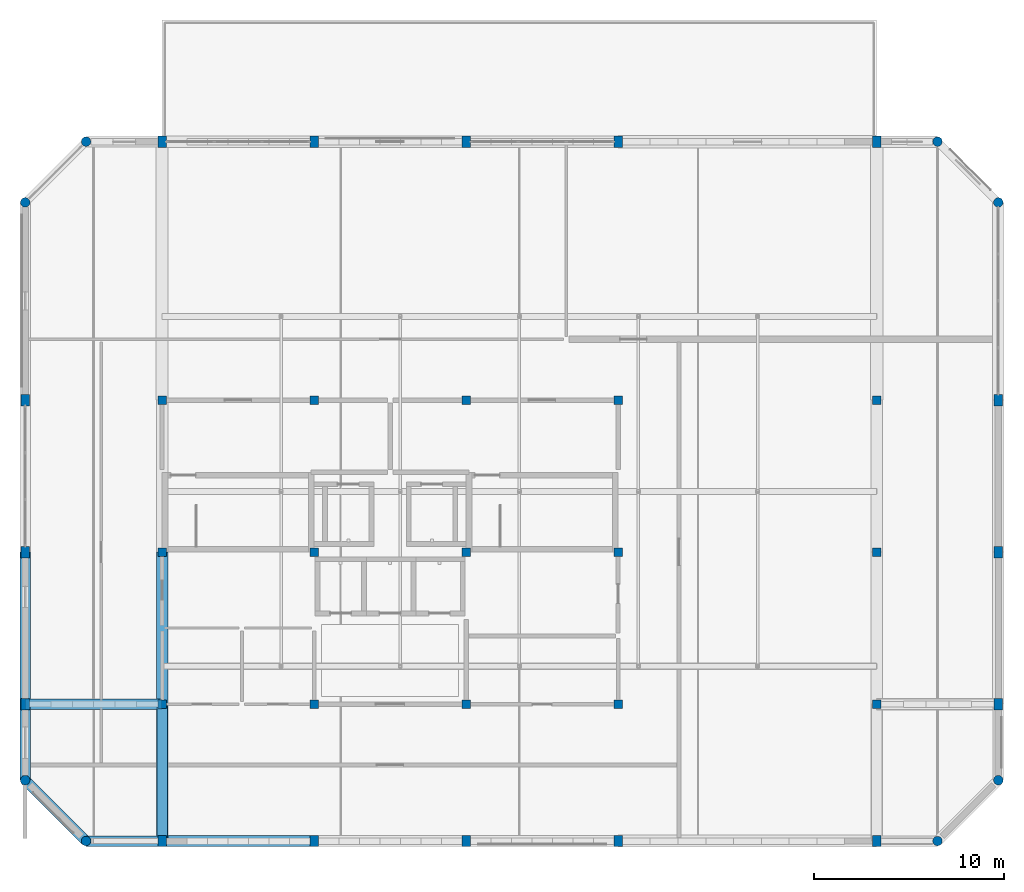
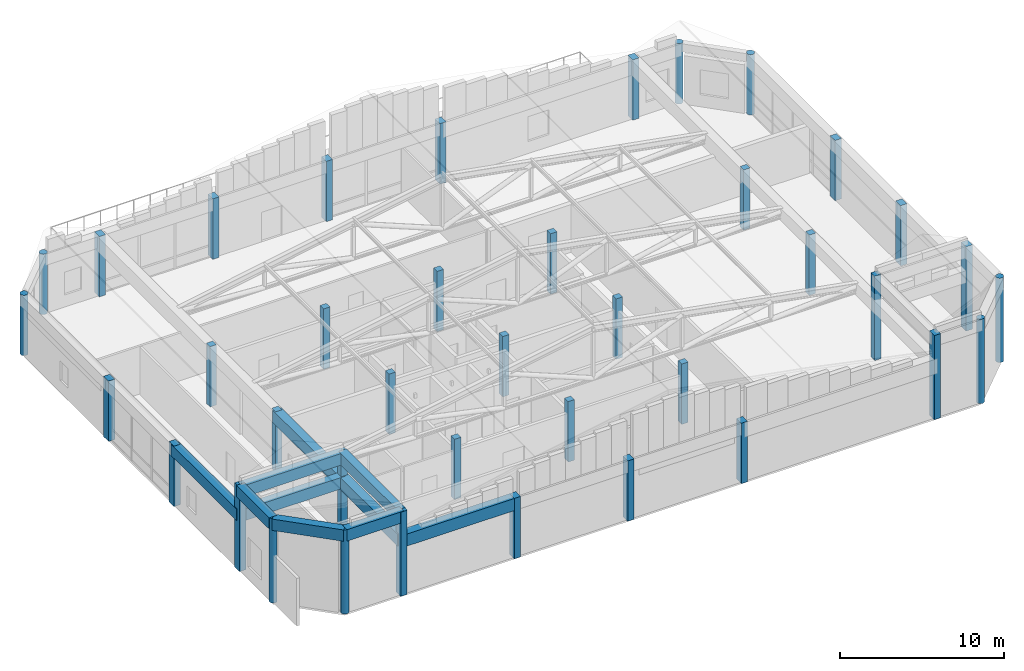
# One storey, part 1 of 24: 39 columns, 10 beams.
"""IFC4 building model written with IfcOpenShell, lengths in metres."""

from ifc_helpers import new_model, si_unit, direction, frame, origin, origin_2d, place, context, subcontext, project, spatial, rectangle, circle, extrude, material, material_profile, profile_set, type_object, element, save


model = new_model("IFC4")

# Units and contexts
model_context = context("Model", 3, precision=1e-05, world=origin(), true_north=direction((0.0, 1.0)))
body_context = subcontext(model_context, "Body", "Model", "MODEL_VIEW")
ifc_project = project(units=[si_unit("LENGTHUNIT", "METRE"), si_unit("AREAUNIT", "SQUARE_METRE"), si_unit("VOLUMEUNIT", "CUBIC_METRE"), si_unit("PLANEANGLEUNIT", "RADIAN"), si_unit("MASSUNIT", "GRAM", prefix="KILO")], contexts=[model_context])

# Site, building, storey
site_placement = place(None, origin())
site = spatial("IfcSite", under=ifc_project, at=site_placement, CompositionType="ELEMENT")
building_placement = place(site_placement, origin())
building = spatial("IfcBuilding", under=site, at=building_placement, Name="Vellmiral Cinema and Media Centre", CompositionType="ELEMENT")
storey_placement = place(building_placement, frame((0.0, 0.0, 66.60009765625)))
storey = spatial("IfcBuildingStorey", under=building, at=storey_placement, Name="L16", CompositionType="ELEMENT", Elevation=66.60009765625)

# Columns
ifc_material_1 = material(Name="Concrete C40/50", Category="concrete")
ifc_material_profile_1 = material_profile(ifc_material_1, rectangle(XDim=0.449951171875, YDim=0.449951171875, at=origin_2d()), Name="RC 450x450")
ifc_profile_set_1 = profile_set([ifc_material_profile_1], Name="Concrete C40/50")
column_type_1 = type_object("IfcColumnType", Name="COL-RC-450x450", PredefinedType="COLUMN", material=ifc_profile_set_1)
column_1_placement = place(storey_placement, frame((124.0, 79.199951171875, 0.0), z_axis=(0.0, 0.0, 1.0), x_axis=(1.0, 0.0, 0.0)))
element("IfcColumn", 1, at=column_1_placement, inside=storey, type_object=column_type_1, Name="Column L16-009", PredefinedType="COLUMN", context=body_context, shape_type="SweptSolid", body=[
    extrude(rectangle(XDim=0.449951171875, YDim=0.449951171875, at=origin_2d()), origin(), (0.0, 0.0, 1.0), 6.27978515625),
])
for number, where, z_axis, x_axis, name in (
    (2, (124.0, 87.199951171875, 0.0), (0.0, 0.0, 1.0), (1.0, 0.0, 0.0), "Column L16-010"),
    (3, (124.0, 95.199951171875, 0.0), (0.0, 0.0, 1.0), (1.0, 0.0, 0.0), "Column L16-011"),
    (4, (132.0, 79.199951171875, 0.0), (0.0, 0.0, 1.0), (1.0, 0.0, 0.0), "Column L16-014"),
    (5, (132.0, 87.199951171875, 0.0), (0.0, 0.0, 1.0), (1.0, 0.0, 0.0), "Column L16-015"),
    (6, (132.0, 95.199951171875, 0.0), (0.0, 0.0, 1.0), (1.0, 0.0, 0.0), "Column L16-016"),
    (7, (140.0, 79.199951171875, 0.0), (0.0, 0.0, 1.0), (1.0, 0.0, 0.0), "Column L16-019"),
    (8, (140.0, 87.199951171875, 0.0), (0.0, 0.0, 1.0), (1.0, 0.0, 0.0), "Column L16-020"),
    (9, (140.0, 95.199951171875, 0.0), (0.0, 0.0, 1.0), (1.0, 0.0, 0.0), "Column L16-021"),
    (10, (148.0, 79.199951171875, 0.0), (0.0, 0.0, 1.0), (1.0, 0.0, 0.0), "Column L16-024"),
    (11, (148.0, 87.199951171875, 0.0), (0.0, 0.0, 1.0), (1.0, 0.0, 0.0), "Column L16-025"),
    (12, (148.0, 95.199951171875, 0.0), (0.0, 0.0, 1.0), (1.0, 0.0, 0.0), "Column L16-026"),
):
    element("IfcColumn", number, at=place(storey_placement, frame(where, z_axis=z_axis, x_axis=x_axis)), inside=storey, type_object=column_type_1, Name=name, PredefinedType="COLUMN", context=body_context, shape_type="SweptSolid", body=[
        extrude(rectangle(XDim=0.449951171875, YDim=0.449951171875, at=origin_2d()), origin(), (0.0, 0.0, 1.0), 4.5),
    ])
column_2_placement = place(storey_placement, frame((161.60009765625, 79.199951171875, 0.0), z_axis=(0.0, 0.0, 1.0), x_axis=(1.0, 0.0, 0.0)))
element("IfcColumn", 13, at=column_2_placement, inside=storey, type_object=column_type_1, Name="Column L16-029", PredefinedType="COLUMN", context=body_context, shape_type="SweptSolid", body=[
    extrude(rectangle(XDim=0.449951171875, YDim=0.449951171875, at=origin_2d()), origin(), (0.0, 0.0, 1.0), 6.27978515625),
])
for number, where, z_axis, x_axis, name in (
    (14, (161.60009765625, 87.199951171875, 0.0), (0.0, 0.0, 1.0), (1.0, 0.0, 0.0), "Column L16-030"),
    (15, (161.60009765625, 95.199951171875, 0.0), (0.0, 0.0, 1.0), (1.0, 0.0, 0.0), "Column L16-031"),
):
    element("IfcColumn", number, at=place(storey_placement, frame(where, z_axis=z_axis, x_axis=x_axis)), inside=storey, type_object=column_type_1, Name=name, PredefinedType="COLUMN", context=body_context, shape_type="SweptSolid", body=[
        extrude(rectangle(XDim=0.449951171875, YDim=0.449951171875, at=origin_2d()), origin(), (0.0, 0.0, 1.0), 4.5),
    ])
ifc_material_2 = material(Name="Concrete C40/50", Category="concrete")
ifc_material_profile_2 = material_profile(ifc_material_2, rectangle(XDim=0.449951171875, YDim=0.60009765625, at=origin_2d()), Name="RC 450x600")
ifc_profile_set_2 = profile_set([ifc_material_profile_2], Name="Concrete C40/50")
column_type_2 = type_object("IfcColumnType", Name="COL-RC-450x600", PredefinedType="COLUMN", material=ifc_profile_set_2)
column_3_placement = place(storey_placement, frame((116.800048828125, 79.199951171875, 0.0), z_axis=(0.0, 0.0, 1.0), x_axis=(1.0, 0.0, 0.0)))
element("IfcColumn", 16, at=column_3_placement, inside=storey, type_object=column_type_2, Name="Column L16-002", PredefinedType="COLUMN", context=body_context, shape_type="SweptSolid", body=[
    extrude(rectangle(XDim=0.449951171875, YDim=0.60009765625, at=origin_2d()), origin(), (0.0, 0.0, 1.0), 6.27978515625),
])
for number, where, z_axis, x_axis, name in (
    (17, (116.800048828125, 87.199951171875, 0.0), (0.0, 0.0, 1.0), (1.0, 0.0, 0.0), "Column L16-003"),
    (18, (116.800048828125, 95.199951171875, 0.0), (0.0, 0.0, 1.0), (1.0, 0.0, 0.0), "Column L16-004"),
):
    element("IfcColumn", number, at=place(storey_placement, frame(where, z_axis=z_axis, x_axis=x_axis)), inside=storey, type_object=column_type_2, Name=name, PredefinedType="COLUMN", context=body_context, shape_type="SweptSolid", body=[
        extrude(rectangle(XDim=0.449951171875, YDim=0.60009765625, at=origin_2d()), origin(), (0.0, 0.0, 1.0), 4.5),
    ])
column_4_placement = place(storey_placement, frame((124.0, 72.0, 0.0), z_axis=(0.0, 0.0, 1.0), x_axis=(1.0, 0.0, 0.0)))
element("IfcColumn", 19, at=column_4_placement, inside=storey, type_object=column_type_2, Name="Column L16-008", PredefinedType="COLUMN", context=body_context, shape_type="SweptSolid", body=[
    extrude(rectangle(XDim=0.449951171875, YDim=0.60009765625, at=origin_2d()), origin(), (0.0, 0.0, 1.0), 6.27978515625),
])
for number, where, z_axis, x_axis, name in (
    (20, (124.0, 108.800048828125, 0.0), (0.0, 0.0, 1.0), (1.0, 0.0, 0.0), "Column L16-012"),
    (21, (132.0, 72.0, 0.0), (0.0, 0.0, 1.0), (1.0, 0.0, 0.0), "Column L16-013"),
    (22, (132.0, 108.800048828125, 0.0), (0.0, 0.0, 1.0), (1.0, 0.0, 0.0), "Column L16-017"),
    (23, (140.0, 72.0, 0.0), (0.0, 0.0, 1.0), (1.0, 0.0, 0.0), "Column L16-018"),
    (24, (140.0, 108.800048828125, 0.0), (0.0, 0.0, 1.0), (1.0, 0.0, 0.0), "Column L16-022"),
    (25, (148.0, 72.0, 0.0), (0.0, 0.0, 1.0), (1.0, 0.0, 0.0), "Column L16-023"),
    (26, (148.0, 108.800048828125, 0.0), (0.0, 0.0, 1.0), (1.0, 0.0, 0.0), "Column L16-027"),
):
    element("IfcColumn", number, at=place(storey_placement, frame(where, z_axis=z_axis, x_axis=x_axis)), inside=storey, type_object=column_type_2, Name=name, PredefinedType="COLUMN", context=body_context, shape_type="SweptSolid", body=[
        extrude(rectangle(XDim=0.449951171875, YDim=0.60009765625, at=origin_2d()), origin(), (0.0, 0.0, 1.0), 4.5),
    ])
column_5_placement = place(storey_placement, frame((161.60009765625, 72.0, 0.0), z_axis=(0.0, 0.0, 1.0), x_axis=(1.0, 0.0, 0.0)))
element("IfcColumn", 27, at=column_5_placement, inside=storey, type_object=column_type_2, Name="Column L16-028", PredefinedType="COLUMN", context=body_context, shape_type="SweptSolid", body=[
    extrude(rectangle(XDim=0.449951171875, YDim=0.60009765625, at=origin_2d()), origin(), (0.0, 0.0, 1.0), 6.27978515625),
])
column_6_placement = place(storey_placement, frame((161.60009765625, 108.800048828125, 0.0), z_axis=(0.0, 0.0, 1.0), x_axis=(1.0, 0.0, 0.0)))
element("IfcColumn", 28, at=column_6_placement, inside=storey, type_object=column_type_2, Name="Column L16-032", PredefinedType="COLUMN", context=body_context, shape_type="SweptSolid", body=[
    extrude(rectangle(XDim=0.449951171875, YDim=0.60009765625, at=origin_2d()), origin(), (0.0, 0.0, 1.0), 4.5),
])
column_7_placement = place(storey_placement, frame((168.0, 79.199951171875, 0.0), z_axis=(0.0, 0.0, 1.0), x_axis=(1.0, 0.0, 0.0)))
element("IfcColumn", 29, at=column_7_placement, inside=storey, type_object=column_type_2, Name="Column L16-036", PredefinedType="COLUMN", context=body_context, shape_type="SweptSolid", body=[
    extrude(rectangle(XDim=0.449951171875, YDim=0.60009765625, at=origin_2d()), origin(), (0.0, 0.0, 1.0), 6.27978515625),
])
for number, where, z_axis, x_axis, name in (
    (30, (168.0, 87.199951171875, 0.0), (0.0, 0.0, 1.0), (1.0, 0.0, 0.0), "Column L16-037"),
    (31, (168.0, 95.199951171875, 0.0), (0.0, 0.0, 1.0), (1.0, 0.0, 0.0), "Column L16-038"),
):
    element("IfcColumn", number, at=place(storey_placement, frame(where, z_axis=z_axis, x_axis=x_axis)), inside=storey, type_object=column_type_2, Name=name, PredefinedType="COLUMN", context=body_context, shape_type="SweptSolid", body=[
        extrude(rectangle(XDim=0.449951171875, YDim=0.60009765625, at=origin_2d()), origin(), (0.0, 0.0, 1.0), 4.5),
    ])
ifc_material_3 = material(Name="Concrete C40/50", Category="concrete")
ifc_material_profile_3 = material_profile(ifc_material_3, circle(Radius=0.25, at=origin_2d()), Name="RC D500")
ifc_profile_set_3 = profile_set([ifc_material_profile_3], Name="Concrete C40/50")
column_type_3 = type_object("IfcColumnType", Name="COL-RCC-D500", PredefinedType="COLUMN", material=ifc_profile_set_3)
column_8_placement = place(storey_placement, frame((116.800048828125, 75.199951171875, 0.0), z_axis=(0.0, 0.0, 1.0), x_axis=(1.0, 0.0, 0.0)))
element("IfcColumn", 32, at=column_8_placement, inside=storey, type_object=column_type_3, Name="Column L16-001", PredefinedType="COLUMN", context=body_context, shape_type="SweptSolid", body=[
    extrude(circle(Radius=0.25, at=origin_2d()), origin(), (0.0, 0.0, 1.0), 6.27978515625),
])
column_9_placement = place(storey_placement, frame((116.800048828125, 105.60009765625, 0.0), z_axis=(0.0, 0.0, 1.0), x_axis=(1.0, 0.0, 0.0)))
element("IfcColumn", 33, at=column_9_placement, inside=storey, type_object=column_type_3, Name="Column L16-005", PredefinedType="COLUMN", context=body_context, shape_type="SweptSolid", body=[
    extrude(circle(Radius=0.25, at=origin_2d()), origin(), (0.0, 0.0, 1.0), 4.5),
])
column_10_placement = place(storey_placement, frame((120.0, 72.0, 0.0), z_axis=(0.0, 0.0, 1.0), x_axis=(1.0, 0.0, 0.0)))
element("IfcColumn", 34, at=column_10_placement, inside=storey, type_object=column_type_3, Name="Column L16-006", PredefinedType="COLUMN", context=body_context, shape_type="SweptSolid", body=[
    extrude(circle(Radius=0.25, at=origin_2d()), origin(), (0.0, 0.0, 1.0), 6.27978515625),
])
column_11_placement = place(storey_placement, frame((120.0, 108.800048828125, 0.0), z_axis=(0.0, 0.0, 1.0), x_axis=(1.0, 0.0, 0.0)))
element("IfcColumn", 35, at=column_11_placement, inside=storey, type_object=column_type_3, Name="Column L16-007", PredefinedType="COLUMN", context=body_context, shape_type="SweptSolid", body=[
    extrude(circle(Radius=0.25, at=origin_2d()), origin(), (0.0, 0.0, 1.0), 4.5),
])
column_12_placement = place(storey_placement, frame((164.800048828125, 72.0, 0.0), z_axis=(0.0, 0.0, 1.0), x_axis=(1.0, 0.0, 0.0)))
element("IfcColumn", 36, at=column_12_placement, inside=storey, type_object=column_type_3, Name="Column L16-033", PredefinedType="COLUMN", context=body_context, shape_type="SweptSolid", body=[
    extrude(circle(Radius=0.25, at=origin_2d()), origin(), (0.0, 0.0, 1.0), 6.27978515625),
])
column_13_placement = place(storey_placement, frame((164.800048828125, 108.800048828125, 0.0), z_axis=(0.0, 0.0, 1.0), x_axis=(1.0, 0.0, 0.0)))
element("IfcColumn", 37, at=column_13_placement, inside=storey, type_object=column_type_3, Name="Column L16-034", PredefinedType="COLUMN", context=body_context, shape_type="SweptSolid", body=[
    extrude(circle(Radius=0.25, at=origin_2d()), origin(), (0.0, 0.0, 1.0), 4.5),
])
column_14_placement = place(storey_placement, frame((168.0, 75.199951171875, 0.0), z_axis=(0.0, 0.0, 1.0), x_axis=(1.0, 0.0, 0.0)))
element("IfcColumn", 38, at=column_14_placement, inside=storey, type_object=column_type_3, Name="Column L16-035", PredefinedType="COLUMN", context=body_context, shape_type="SweptSolid", body=[
    extrude(circle(Radius=0.25, at=origin_2d()), origin(), (0.0, 0.0, 1.0), 6.27978515625),
])
column_15_placement = place(storey_placement, frame((168.0, 105.60009765625, 0.0), z_axis=(0.0, 0.0, 1.0), x_axis=(1.0, 0.0, 0.0)))
element("IfcColumn", 39, at=column_15_placement, inside=storey, type_object=column_type_3, Name="Column L16-039", PredefinedType="COLUMN", context=body_context, shape_type="SweptSolid", body=[
    extrude(circle(Radius=0.25, at=origin_2d()), origin(), (0.0, 0.0, 1.0), 4.5),
])

# Beams
ifc_material_4 = material(Name="Concrete C40/50", Category="concrete")
ifc_material_profile_4 = material_profile(ifc_material_4, rectangle(XDim=0.550048828125, YDim=0.85009765625, at=origin_2d()), Name="RC 550x850")
ifc_profile_set_4 = profile_set([ifc_material_profile_4], Name="Concrete C40/50")
beam_type_1 = type_object("IfcBeamType", Name="RING-BM-550x850", PredefinedType="BEAM", material=ifc_profile_set_4)
beam_1_placement = place(storey_placement, frame((116.800048828125, 79.199951171875, 4.074951171875), z_axis=(1.0, 0.0, 0.0), x_axis=(0.0, 1.0, 0.0)))
element("IfcBeam", 40, at=beam_1_placement, inside=storey, type_object=beam_type_1, Name="Tower Crown West Gallery Vault Ring Beam 01", PredefinedType="BEAM", context=body_context, shape_type="SweptSolid", body=[
    extrude(rectangle(XDim=0.550048828125, YDim=0.85009765625, at=origin_2d()), origin(), (0.0, 0.0, 1.0), 7.199951171875),
])
beam_2_placement = place(storey_placement, frame((116.800048828125, 79.199951171875, 4.074951171875), z_axis=(0.0, 1.0, 0.0), x_axis=(-1.0, 0.0, 0.0)))
element("IfcBeam", 41, at=beam_2_placement, inside=storey, type_object=beam_type_1, Name="Tower Crown West Gallery Vault Ring Beam 03", PredefinedType="BEAM", context=body_context, shape_type="SweptSolid", body=[
    extrude(rectangle(XDim=0.550048828125, YDim=0.85009765625, at=origin_2d()), origin(), (0.0, 0.0, 1.0), 8.0),
])
beam_3_placement = place(storey_placement, frame((120.0, 72.0, 5.85498046875), z_axis=(1.0, 0.0, 0.0), x_axis=(0.0, 1.0, 0.0)))
element("IfcBeam", 42, at=beam_3_placement, inside=storey, type_object=beam_type_1, Name="Torratxa Turret Ring Beam SW-01", PredefinedType="BEAM", context=body_context, shape_type="SweptSolid", body=[
    extrude(rectangle(XDim=0.550048828125, YDim=0.85009765625, at=origin_2d()), origin(), (0.0, 0.0, 1.0), 4.0),
])
beam_4_placement = place(storey_placement, frame((116.800048828125, 79.199951171875, 5.85498046875), z_axis=(1.0, 0.0, 0.0), x_axis=(0.0, 1.0, 0.0)))
element("IfcBeam", 43, at=beam_4_placement, inside=storey, type_object=beam_type_1, Name="Torratxa Turret Ring Beam SW-02", PredefinedType="BEAM", context=body_context, shape_type="SweptSolid", body=[
    extrude(rectangle(XDim=0.550048828125, YDim=0.85009765625, at=origin_2d()), origin(), (0.0, 0.0, 1.0), 7.199951171875),
])
beam_5_placement = place(storey_placement, frame((116.800048828125, 75.199951171875, 5.85498046875), z_axis=(0.0, 1.0, 0.0), x_axis=(-1.0, 0.0, 0.0)))
element("IfcBeam", 44, at=beam_5_placement, inside=storey, type_object=beam_type_1, Name="Torratxa Turret Ring Beam SW-03", PredefinedType="BEAM", context=body_context, shape_type="SweptSolid", body=[
    extrude(rectangle(XDim=0.550048828125, YDim=0.85009765625, at=origin_2d()), origin(), (0.0, 0.0, 1.0), 4.0),
])
beam_6_placement = place(storey_placement, frame((124.0, 72.0, 5.85498046875), z_axis=(0.0, 1.0, 0.0), x_axis=(-1.0, 0.0, 0.0)))
element("IfcBeam", 45, at=beam_6_placement, inside=storey, type_object=beam_type_1, Name="Torratxa Turret Ring Beam SW-04", PredefinedType="BEAM", context=body_context, shape_type="SweptSolid", body=[
    extrude(rectangle(XDim=0.550048828125, YDim=0.85009765625, at=origin_2d()), origin(), (0.0, 0.0, 1.0), 7.199951171875),
])
beam_7_placement = place(storey_placement, frame((116.800048828125, 75.199951171875, 5.85498046875), z_axis=(0.707106781187, -0.707106781187, 0.0), x_axis=(0.707106781187, 0.707106781187, 0.0)))
element("IfcBeam", 46, at=beam_7_placement, inside=storey, type_object=beam_type_1, Name="Torratxa Turret Ring Beam SW-05", PredefinedType="BEAM", context=body_context, shape_type="SweptSolid", body=[
    extrude(rectangle(XDim=0.550048828125, YDim=0.85009765625, at=origin_2d()), origin(), (0.0, 0.0, 1.0), 4.525390625),
])
ifc_material_5 = material(Name="Concrete C40/50", Category="concrete")
ifc_material_profile_5 = material_profile(ifc_material_5, rectangle(XDim=0.60009765625, YDim=0.89990234375, at=origin_2d()), Name="RC 600x900")
ifc_profile_set_5 = profile_set([ifc_material_profile_5], Name="Concrete C40/50")
beam_type_2 = type_object("IfcBeamType", Name="RING-BM-600x900", PredefinedType="BEAM", material=ifc_profile_set_5)
beam_8_placement = place(storey_placement, frame((124.0, 72.0, 4.0498046875), z_axis=(1.0, 0.0, 0.0), x_axis=(0.0, 1.0, 0.0)))
element("IfcBeam", 47, at=beam_8_placement, inside=storey, type_object=beam_type_2, Name="Tower Crown Catalan Barrel Vault Ring Beam 01", PredefinedType="BEAM", context=body_context, shape_type="SweptSolid", body=[
    extrude(rectangle(XDim=0.60009765625, YDim=0.89990234375, at=origin_2d()), origin(), (0.0, 0.0, 1.0), 8.0),
])
beam_9_placement = place(storey_placement, frame((124.0, 72.0, 4.0498046875), z_axis=(0.0, 1.0, 0.0), x_axis=(-1.0, 0.0, 0.0)))
element("IfcBeam", 48, at=beam_9_placement, inside=storey, type_object=beam_type_2, Name="Tower Crown Catalan Barrel Vault Ring Beam 09", PredefinedType="BEAM", context=body_context, shape_type="SweptSolid", body=[
    extrude(rectangle(XDim=0.60009765625, YDim=0.89990234375, at=origin_2d()), origin(), (0.0, 0.0, 1.0), 7.199951171875),
])
beam_10_placement = place(storey_placement, frame((124.0, 79.199951171875, 4.0498046875), z_axis=(0.0, 1.0, 0.0), x_axis=(-1.0, 0.0, 0.0)))
element("IfcBeam", 49, at=beam_10_placement, inside=storey, type_object=beam_type_2, Name="Tower Crown Catalan Barrel Vault Ring Beam 10", PredefinedType="BEAM", context=body_context, shape_type="SweptSolid", body=[
    extrude(rectangle(XDim=0.60009765625, YDim=0.89990234375, at=origin_2d()), origin(), (0.0, 0.0, 1.0), 8.0),
])

save(model, "model.ifc")
